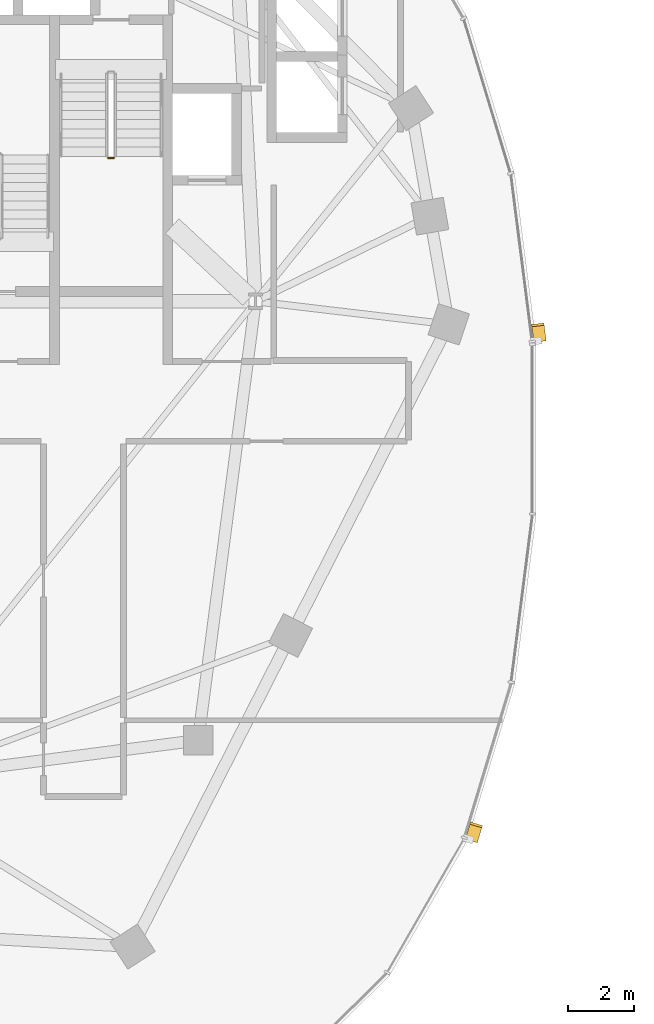
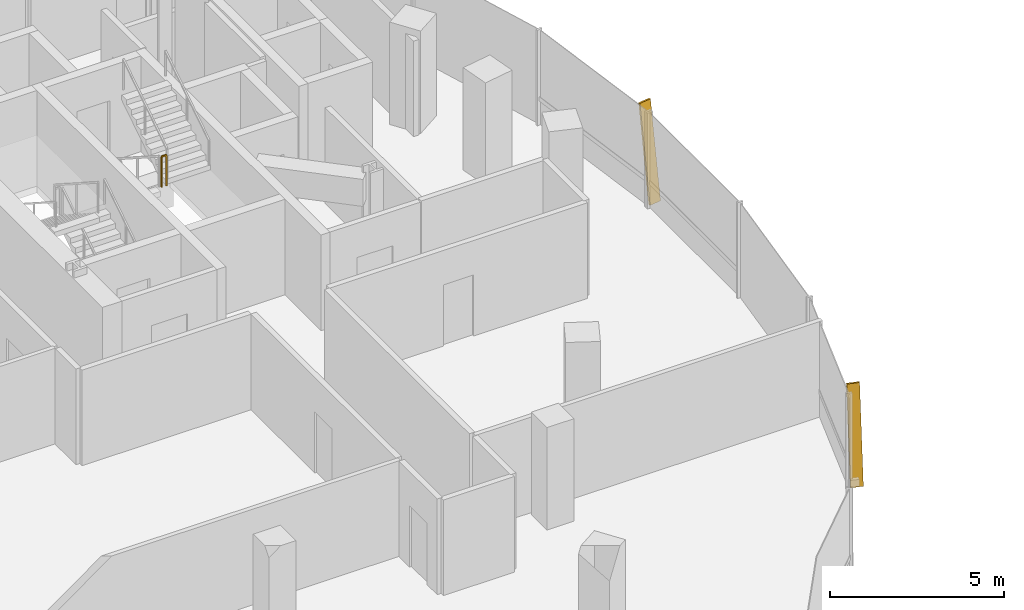
# One storey, part 19 of 22: 2 shading devices, 1 railing.
"""IFC4 building model written with IfcOpenShell, lengths in metres."""

from ifc_helpers import new_model, si_unit, direction, frame, origin, origin_2d, place, context, subcontext, project, spatial, rectangle, extrude, material, material_profile, profile_set, type_object, element, save


model = new_model("IFC4")

# Units and contexts
model_context = context("Model", 3, precision=1e-05, world=origin(), true_north=direction((0.0, 1.0)))
body_context = subcontext(model_context, "Body", "Model", "MODEL_VIEW")
ifc_project = project(units=[si_unit("LENGTHUNIT", "METRE"), si_unit("AREAUNIT", "SQUARE_METRE"), si_unit("VOLUMEUNIT", "CUBIC_METRE"), si_unit("PLANEANGLEUNIT", "RADIAN"), si_unit("MASSUNIT", "GRAM", prefix="KILO"), si_unit("THERMODYNAMICTEMPERATUREUNIT", "KELVIN"), si_unit("POWERUNIT", "WATT")], contexts=[model_context])

# Site, building, storey
site_placement = place(None, origin())
site = spatial("IfcSite", under=ifc_project, at=site_placement, CompositionType="ELEMENT")
building_placement = place(site_placement, origin())
building = spatial("IfcBuilding", under=site, at=building_placement, Name="Cundina Bronze Exchange", CompositionType="ELEMENT")
storey_placement = place(building_placement, frame((0.0, 0.0, 162.0)))
storey = spatial("IfcBuildingStorey", under=building, at=storey_placement, Name="L42", CompositionType="ELEMENT", Elevation=162.0)

# Railing
ifc_material_1 = material(Name="Steel ASTM A36 Painted", Category="steel")
railing_type = type_object("IfcRailingType", Name="RLG-STG-1100", PredefinedType="GUARDRAIL", material=ifc_material_1)
railing_placement = place(storey_placement, frame((-25.93994140625, 8.280029296875, 1.800048828125)))
element("IfcRailing", 1, at=railing_placement, inside=storey, type_object=railing_type, Name="L42 ST-W2 stair guard 2", PredefinedType="GUARDRAIL", context=body_context, shape_type="SweptSolid", body=[
    extrude(rectangle(XDim=0.048095703125, YDim=0.048095703125, at=origin_2d()), frame((0.0, 0.0, 1.076171875), z_axis=(1.0, 0.0, 0.0), x_axis=(0.0, 1.0, 0.0)), (0.0, 0.0, 1.0), 0.159912109375),
    extrude(rectangle(XDim=0.0419921875, YDim=0.0419921875, at=origin_2d()), origin(), (0.0, 0.0, 1.0), 1.052001953125),
    extrude(rectangle(XDim=0.0419921875, YDim=0.0419921875, at=origin_2d()), frame((0.159912109375, 0.0, 0.0)), (0.0, 0.0, 1.0), 1.052001953125),
])

# Shading devices
ifc_material_2 = material(Name="Anodised Bronze Aluminium 6063-T6", Category="aluminium")
ifc_material_profile = material_profile(ifc_material_2, rectangle(XDim=0.070068359375, YDim=0.3798828125, at=origin_2d()), Name="FIN70X380", Category="aluminium")
ifc_profile_set = profile_set([ifc_material_profile], Name="Anodised Bronze Aluminium 6063-T6")
shading_device_type = type_object("IfcShadingDeviceType", Name="SHD-FIN-BRZ380", PredefinedType="USERDEFINED", material=ifc_profile_set)
for number, where, z_axis, x_axis, name in (
    (2, (-12.76513671875, 2.705810546875, 0.02001953125), (-0.018121805099, 0.141917750773, 0.989712560391), (0.125360789044, -0.981741119016, 0.143070080046), "L42 Diagonal Bronze Solar Fin 1"),
    (3, (-14.848876953125, -12.5439453125, 0.02001953125), (0.041483395017, 0.136967981441, 0.989706471636), (-0.286882504107, -0.947215566191, 0.143112193758), "L42 Diagonal Bronze Solar Fin 5"),
):
    element("IfcShadingDevice", number, at=place(storey_placement, frame(where, z_axis=z_axis, x_axis=x_axis)), inside=storey, type_object=shading_device_type, Name=name, ObjectType="FIN", PredefinedType="USERDEFINED", context=body_context, shape_type="SweptSolid", body=[
        extrude(rectangle(XDim=0.070068359375, YDim=0.3798828125, at=origin_2d()), origin(), (0.0, 0.0, 1.0), 3.3544921875),
    ])

save(model, "model.ifc")
